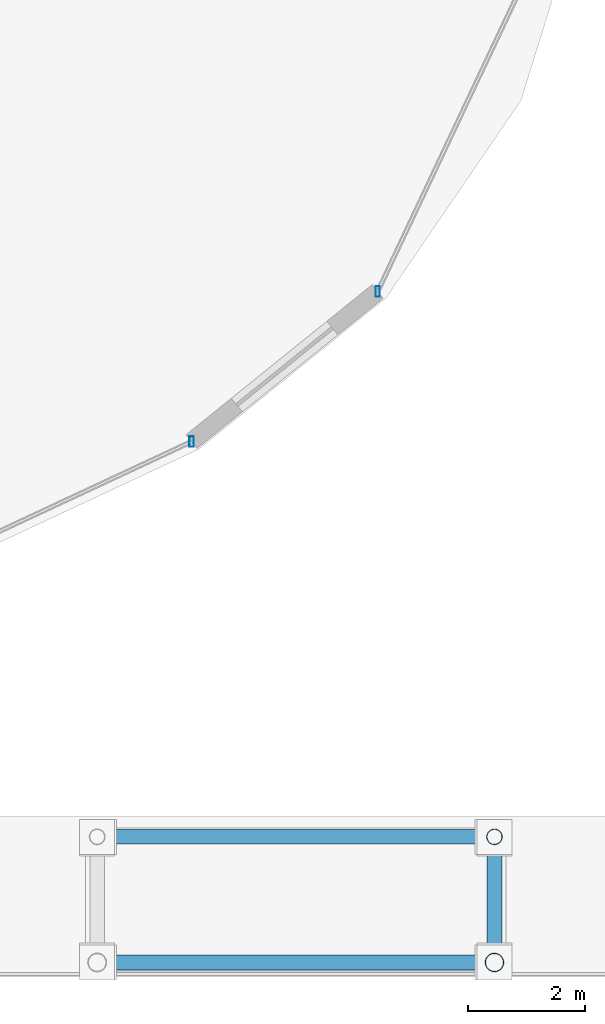
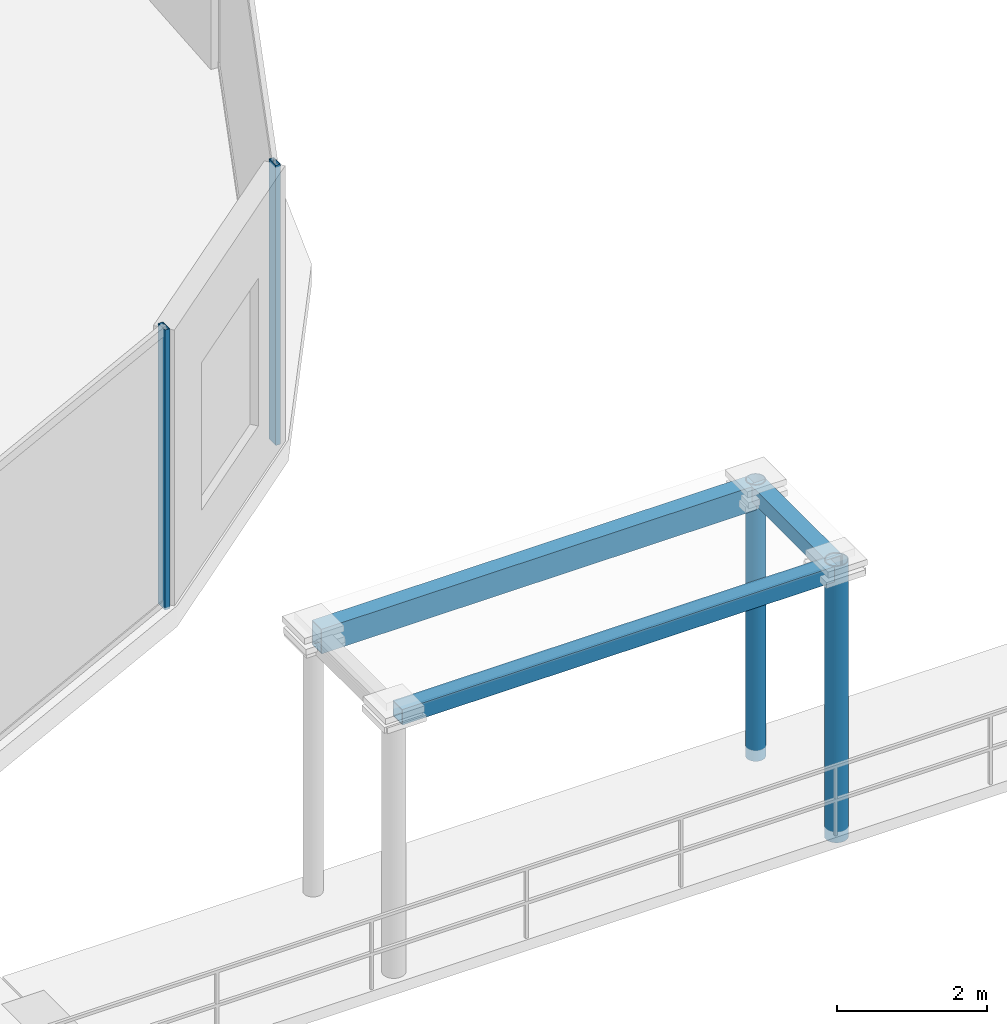
# One storey, part 22 of 36: 7 members, 2 elements without a shape of their own.
"""IFC4 building model written with IfcOpenShell, lengths in metres."""

from ifc_helpers import new_model, si_unit, direction, frame, origin, origin_2d, place, context, subcontext, project, spatial, hollow_rectangle, hollow_circle, extrude, material, material_profile, profile_set, type_object, element, aggregate, save


model = new_model("IFC4")

# Units and contexts
model_context = context("Model", 3, precision=1e-05, world=origin(), true_north=direction((0.0, 1.0)))
body_context = subcontext(model_context, "Body", "Model", "MODEL_VIEW")
ifc_project = project(units=[si_unit("LENGTHUNIT", "METRE"), si_unit("AREAUNIT", "SQUARE_METRE"), si_unit("VOLUMEUNIT", "CUBIC_METRE"), si_unit("PLANEANGLEUNIT", "RADIAN"), si_unit("MASSUNIT", "GRAM", prefix="KILO")], contexts=[model_context])

# Site, building, storey
site_placement = place(None, origin())
site = spatial("IfcSite", under=ifc_project, at=site_placement, CompositionType="ELEMENT")
building_placement = place(site_placement, origin())
building = spatial("IfcBuilding", under=site, at=building_placement, Name="Vorneva Point Tower", CompositionType="ELEMENT")
storey_placement = place(building_placement, origin())
storey = spatial("IfcBuildingStorey", under=building, at=storey_placement, Name="L00", CompositionType="ELEMENT", Elevation=0.0)

# Curtain wall, member
ifc_material_1 = material(Name="Pale anodised aluminium", Category="aluminium")
curtain_wall_type = type_object("IfcCurtainWallType", Name="CW-POD-SYS", PredefinedType="NOTDEFINED", material=ifc_material_1)
curtain_wall_1_placement = place(storey_placement, origin())
curtain_wall_1 = element("IfcCurtainWall", 1, at=curtain_wall_1_placement, inside=storey, type_object=curtain_wall_type, Name="L00 Unitised Curtain Wall CW-L00-R07", PredefinedType="NOTDEFINED")
ifc_material_profile_1 = material_profile(ifc_material_1, hollow_rectangle(XDim=0.074951171875, YDim=0.179931640625, WallThickness=0.00390625, at=origin_2d()), Name="AL-MUL 180x75x4")
ifc_profile_set_1 = profile_set([ifc_material_profile_1], Name="Pale anodised aluminium")
member_type_1 = type_object("IfcMemberType", Name="CW-MUL-180", PredefinedType="MULLION", material=ifc_profile_set_1)
member_1_placement = place(storey_placement, frame((66.2158203125, 6.964111328125, -0.0400390625), z_axis=(0.0, 0.0, 1.0), x_axis=(1.0, 0.0, 0.0)))
member_1 = element("IfcMember", 2, at=member_1_placement, type_object=member_type_1, Name="CW-L00-R07 Mullion 03", PredefinedType="MULLION", context=body_context, shape_type="SweptSolid", body=[
    extrude(hollow_rectangle(XDim=0.074951171875, YDim=0.179931640625, WallThickness=0.00390625, at=origin_2d()), origin(), (0.0, 0.0, 1.0), 4.550048828125),
])
aggregate(curtain_wall_1, [member_1])

curtain_wall_2_placement = place(storey_placement, origin())
curtain_wall_2 = element("IfcCurtainWall", 3, at=curtain_wall_2_placement, inside=storey, type_object=curtain_wall_type, Name="L00 Unitised Curtain Wall CW-L00-R08", PredefinedType="NOTDEFINED")
member_2_placement = place(storey_placement, frame((69.40185546875, 9.53369140625, -0.0400390625), z_axis=(0.0, 0.0, 1.0), x_axis=(1.0, 0.0, 0.0)))
member_2 = element("IfcMember", 4, at=member_2_placement, type_object=member_type_1, Name="CW-L00-R08 Mullion 01", PredefinedType="MULLION", context=body_context, shape_type="SweptSolid", body=[
    extrude(hollow_rectangle(XDim=0.074951171875, YDim=0.179931640625, WallThickness=0.00390625, at=origin_2d()), origin(), (0.0, 0.0, 1.0), 4.550048828125),
])
aggregate(curtain_wall_2, [member_2])

# Members
ifc_material_2 = material(Name="Steel S355", Category="steel")
ifc_material_profile_2 = material_profile(ifc_material_2, hollow_circle(Radius=0.136474609375, WallThickness=0.011962890625, at=origin_2d()), Name="CHS 273x12")
ifc_profile_set_2 = profile_set([ifc_material_profile_2], Name="Steel S355")
member_type_2 = type_object("IfcMemberType", Name="MBR-CAN-CHS273", PredefinedType="STRUT", material=ifc_profile_set_2)
member_3_placement = place(storey_placement, frame((71.39990234375, 0.199951171875, -0.179931640625), z_axis=(0.0, 0.0, 1.0), x_axis=(1.0, 0.0, 0.0)))
element("IfcMember", 5, at=member_3_placement, inside=storey, type_object=member_type_2, Name="Waterfront Promenade Canopy CAN-05 Post 3", PredefinedType="STRUT", context=body_context, shape_type="SweptSolid", body=[
    extrude(hollow_circle(Radius=0.136474609375, WallThickness=0.011962890625, at=origin_2d()), origin(), (0.0, 0.0, 1.0), 4.489990234375),
])
ifc_material_profile_3 = material_profile(ifc_material_2, hollow_circle(Radius=0.16259765625, WallThickness=0.013916015625, at=origin_2d()), Name="CHS 325x14")
ifc_profile_set_3 = profile_set([ifc_material_profile_3], Name="Steel S355")
member_type_3 = type_object("IfcMemberType", Name="MBR-CAN-CHS325", PredefinedType="BRACE", material=ifc_profile_set_3)
member_4_placement = place(storey_placement, frame((71.39990234375, -1.949951171875, -0.179931640625), z_axis=(0.0, 0.0, 1.0), x_axis=(1.0, 0.0, 0.0)))
element("IfcMember", 6, at=member_4_placement, inside=storey, type_object=member_type_3, Name="Waterfront Promenade Canopy CAN-05 Post 2", PredefinedType="BRACE", context=body_context, shape_type="SweptSolid", body=[
    extrude(hollow_circle(Radius=0.16259765625, WallThickness=0.013916015625, at=origin_2d()), origin(), (0.0, 0.0, 1.0), 4.489990234375),
])
ifc_material_profile_4 = material_profile(ifc_material_2, hollow_rectangle(XDim=0.25, YDim=0.25, WallThickness=0.011962890625, at=origin_2d()), Name="PK 250x250x12")
ifc_profile_set_4 = profile_set([ifc_material_profile_4], Name="Steel S355")
member_type_4 = type_object("IfcMemberType", Name="MBR-STR-PK250", PredefinedType="STRUT", material=ifc_profile_set_4)
member_5_placement = place(storey_placement, frame((64.659912109375, -1.949951171875, 4.179931640625), z_axis=(1.0, 0.0, 0.0), x_axis=(0.0, 1.0, 0.0)))
element("IfcMember", 7, at=member_5_placement, inside=storey, type_object=member_type_4, Name="Waterfront Promenade Canopy CAN-05 Tie 1", PredefinedType="STRUT", context=body_context, shape_type="SweptSolid", body=[
    extrude(hollow_rectangle(XDim=0.25, YDim=0.25, WallThickness=0.011962890625, at=origin_2d()), origin(), (0.0, 0.0, 1.0), 6.68017578125),
])
member_6_placement = place(storey_placement, frame((71.39990234375, -1.889892578125, 4.179931640625), z_axis=(0.0, 1.0, 0.0), x_axis=(-1.0, 0.0, 0.0)))
element("IfcMember", 8, at=member_6_placement, inside=storey, type_object=member_type_4, Name="Waterfront Promenade Canopy CAN-05 Tie 3", PredefinedType="STRUT", context=body_context, shape_type="SweptSolid", body=[
    extrude(hollow_rectangle(XDim=0.25, YDim=0.25, WallThickness=0.011962890625, at=origin_2d()), origin(), (0.0, 0.0, 1.0), 2.02978515625),
])
ifc_material_3 = material(Name="Steel S460", Category="steel")
ifc_material_profile_5 = material_profile(ifc_material_3, hollow_rectangle(XDim=0.25, YDim=0.39990234375, WallThickness=0.013916015625, at=origin_2d()), Name="PP 400x250x14")
ifc_profile_set_5 = profile_set([ifc_material_profile_5], Name="Steel S460")
member_type_5 = type_object("IfcMemberType", Name="MBR-STR-PP400", PredefinedType="STRUT", material=ifc_profile_set_5)
member_7_placement = place(storey_placement, frame((71.340087890625, 0.199951171875, 4.10498046875), z_axis=(-1.0, 0.0, 0.0), x_axis=(0.0, -1.0, 0.0)))
element("IfcMember", 9, at=member_7_placement, inside=storey, type_object=member_type_5, Name="Waterfront Promenade Canopy CAN-05 Tie 2", PredefinedType="STRUT", context=body_context, shape_type="SweptSolid", body=[
    extrude(hollow_rectangle(XDim=0.25, YDim=0.39990234375, WallThickness=0.013916015625, at=origin_2d()), origin(), (0.0, 0.0, 1.0), 6.68017578125),
])

save(model, "model.ifc")
